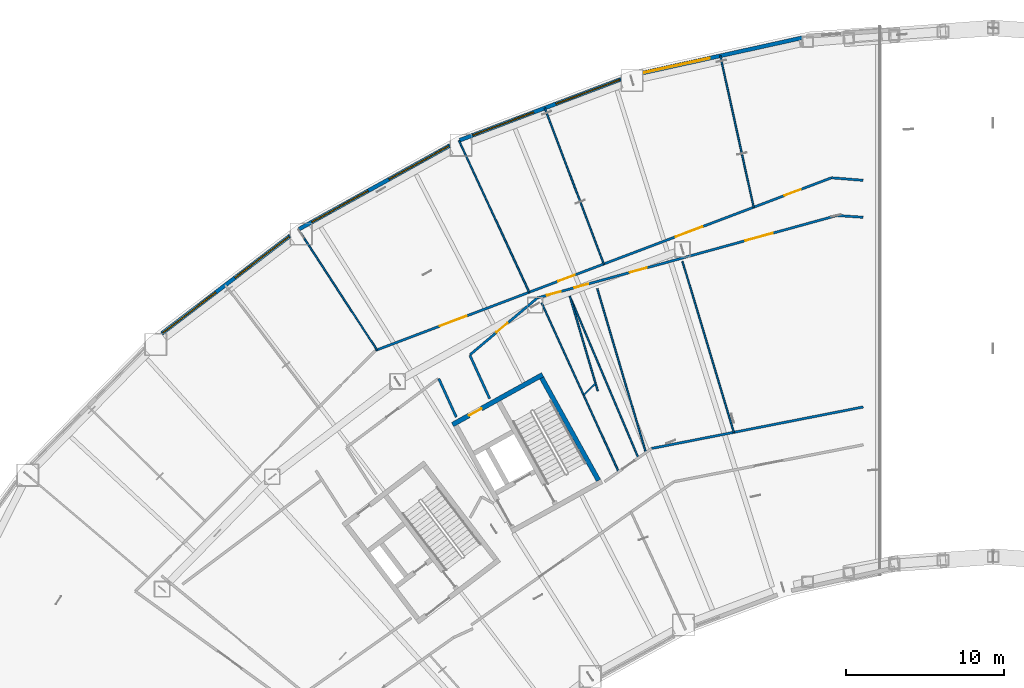
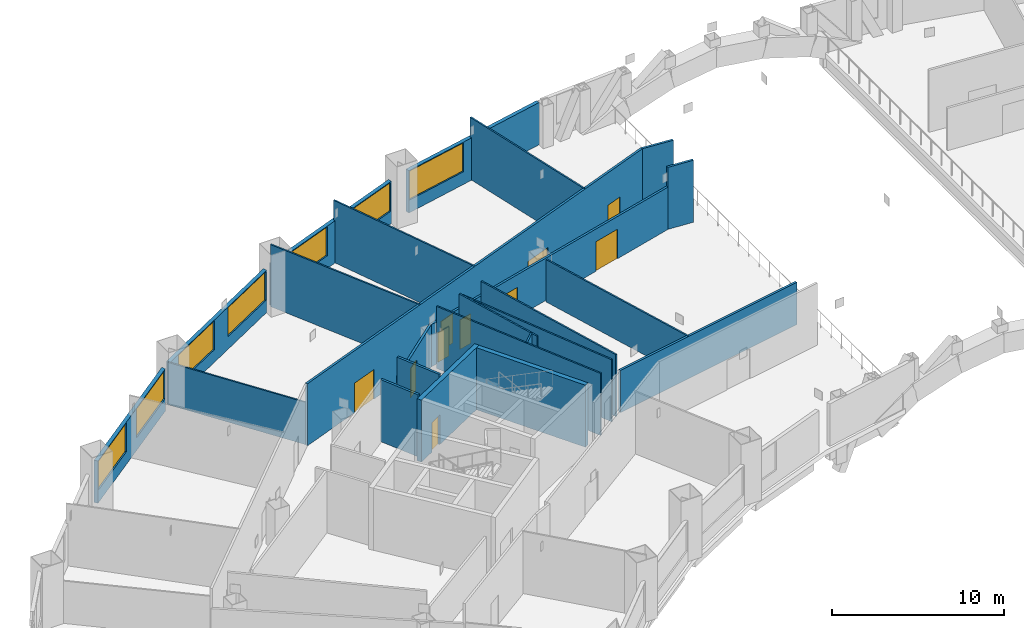
# One storey, part 8 of 24: 24 walls, 10 doors, 7 windows, 17 openings.
"""IFC4 building model written with IfcOpenShell, lengths in metres."""

from ifc_helpers import new_model, si_unit, direction, frame, frame_2d, origin, place, context, subcontext, project, spatial, rectangle, extrude, material, layer, layer_set, type_object, element, fill, save


model = new_model("IFC4")

# Units and contexts
model_context = context("Model", 3, precision=1e-05, world=origin(), true_north=direction((0.0, 1.0)))
body_context = subcontext(model_context, "Body", "Model", "MODEL_VIEW")
ifc_project = project(units=[si_unit("LENGTHUNIT", "METRE"), si_unit("AREAUNIT", "SQUARE_METRE"), si_unit("VOLUMEUNIT", "CUBIC_METRE"), si_unit("PLANEANGLEUNIT", "RADIAN"), si_unit("MASSUNIT", "GRAM", prefix="KILO")], contexts=[model_context])

# Site, building, storey
site_placement = place(None, origin())
site = spatial("IfcSite", under=ifc_project, at=site_placement, CompositionType="ELEMENT")
building_placement = place(site_placement, origin())
building = spatial("IfcBuilding", under=site, at=building_placement, Name="Tuul Gate Civic Tower", CompositionType="ELEMENT")
storey_placement = place(building_placement, frame((0.0, 0.0, 21.89990234375)))
storey = spatial("IfcBuildingStorey", under=building, at=storey_placement, Name="Level 04", CompositionType="ELEMENT", Elevation=21.89990234375)

# Wall, opening, door
ifc_material_1 = material(Name="Concrete C50/60", Category="concrete")
ifc_layer_1 = layer(ifc_material_1, 0.300048828125)
ifc_layer_set_1 = layer_set([ifc_layer_1], Name="Concrete C50/60")
wall_type_1 = type_object("IfcWallType", Name="Core wall C50/60", PredefinedType="SHEAR", material=ifc_layer_set_1)
wall_1_placement = place(storey_placement, frame((-28.4443359375, -1.98095703125, 0.0), z_axis=(0.0, 0.0, 1.0), x_axis=(-0.874629909008, -0.484791215132, 0.0)))
wall_1 = element("IfcWall", 1, at=wall_1_placement, inside=storey, type_object=wall_type_1, Name="Core wall", PredefinedType="SHEAR", context=body_context, shape_type="SweptSolid", body=[
    extrude(rectangle(XDim=6.5, YDim=0.300048828125, at=frame_2d((3.25, 0.0))), origin(), (0.0, 0.0, 1.0), 4.400146484375),
])
opening_1_placement = place(wall_1_placement, frame((4.425048828125, 0.0, 0.0)))
opening_1 = element("IfcOpeningElement", 2, at=opening_1_placement, cuts=wall_1, Name="Opening QD-D37", PredefinedType="OPENING", context=body_context, shape_type="SweptSolid", body=[
    extrude(rectangle(XDim=0.89990234375, YDim=2.10009765625, at=frame_2d((0.449951171875, 1.050048828125))), frame((0.0, 0.16015625, 0.0), z_axis=(0.0, -1.0, 0.0), x_axis=(1.0, 0.0, 0.0)), (0.0, 0.0, 1.0), 0.320068359375),
])
ifc_material_2 = material(Name="Timber door leaf", Category="wood")
door_type_1 = type_object("IfcDoorType", Name="Door D09", OperationType="NOTDEFINED", PredefinedType="DOOR", material=ifc_material_2)
door_1_placement = place(opening_1_placement, origin())
door_1 = element("IfcDoor", 3, at=door_1_placement, inside=storey, type_object=door_type_1, Name="Door QD-D37", OperationType="SINGLE_SWING_LEFT", OverallHeight=2.10009765625, OverallWidth=0.89990234375, PredefinedType="DOOR", context=body_context, shape_type="SweptSolid", body=[
    extrude(rectangle(XDim=0.89990234375, YDim=2.10009765625, at=frame_2d((0.449951171875, 1.050048828125))), frame((0.0, 0.02490234375, 0.0), z_axis=(0.0, -1.0, 0.0), x_axis=(1.0, 0.0, 0.0)), (0.0, 0.0, 1.0), 0.050048828125),
])
fill(opening_1, door_1)

# Walls
wall_2_placement = place(storey_placement, frame((-24.91552734375, -8.6572265625, 0.0), z_axis=(0.0, 0.0, 1.0), x_axis=(-0.484777133038, 0.874637714304, 0.0)))
element("IfcWall", 4, at=wall_2_placement, inside=storey, type_object=wall_type_1, Name="Core wall", PredefinedType="SHEAR", context=body_context, shape_type="SweptSolid", body=[
    extrude(rectangle(XDim=7.400146484375, YDim=0.300048828125, at=frame_2d((3.7001953125, 0.0))), origin(), (0.0, 0.0, 1.0), 4.400146484375),
])
ifc_material_3 = material(Name="Gypsum board partition")
ifc_layer_2 = layer(ifc_material_3, 0.14990234375)
ifc_layer_set_2 = layer_set([ifc_layer_2], Name="Gypsum board partition")
wall_type_2 = type_object("IfcWallType", Name="Corridor wall P150", PredefinedType="PARTITIONING", material=ifc_layer_set_2)
wall_3_placement = place(storey_placement, frame((-10.20703125, 10.451904296875, 0.0), z_axis=(0.0, 0.0, 1.0), x_axis=(0.996915156956, -0.078486749398, 0.0)))
element("IfcWall", 5, at=wall_3_placement, inside=storey, type_object=wall_type_2, Name="p013", PredefinedType="PARTITIONING", context=body_context, shape_type="SweptSolid", body=[
    extrude(rectangle(XDim=2.012451171875, YDim=0.14990234375, at=frame_2d((1.00634765625, 0.0))), origin(), (0.0, 0.0, 1.0), 4.400146484375),
])

# Wall, openings, doors
wall_4_placement = place(storey_placement, frame((-39.002197265625, -0.451904296875, 0.0), z_axis=(0.0, 0.0, 1.0), x_axis=(0.935191241044, 0.354143110443, 0.0)))
wall_4 = element("IfcWall", 6, at=wall_4_placement, inside=storey, type_object=wall_type_2, Name="p017", PredefinedType="PARTITIONING", context=body_context, shape_type="SweptSolid", body=[
    extrude(rectangle(XDim=30.78857421875, YDim=0.14990234375, at=frame_2d((15.394287109375, 0.0))), origin(), (0.0, 0.0, 1.0), 4.400146484375),
])
opening_2_placement = place(wall_4_placement, frame((27.614501953125, 0.0, 0.0)))
opening_2 = element("IfcOpeningElement", 7, at=opening_2_placement, cuts=wall_4, Name="Opening QD-D06", PredefinedType="OPENING", context=body_context, shape_type="SweptSolid", body=[
    extrude(rectangle(XDim=1.10009765625, YDim=2.10009765625, at=frame_2d((0.550048828125, 1.050048828125))), frame((0.0, 0.0849609375, 0.0), z_axis=(0.0, -1.0, 0.0), x_axis=(1.0, 0.0, 0.0)), (0.0, 0.0, 1.0), 0.169921875),
])
opening_3_placement = place(wall_4_placement, frame((20.279052734375, 0.0, 0.0)))
opening_3 = element("IfcOpeningElement", 8, at=opening_3_placement, cuts=wall_4, Name="Opening QD-D07", PredefinedType="OPENING", context=body_context, shape_type="SweptSolid", body=[
    extrude(rectangle(XDim=1.800048828125, YDim=2.10009765625, at=frame_2d((0.89990234375, 1.050048828125))), frame((0.0, 0.0849609375, 0.0), z_axis=(0.0, -1.0, 0.0), x_axis=(1.0, 0.0, 0.0)), (0.0, 0.0, 1.0), 0.169921875),
])
opening_4_placement = place(wall_4_placement, frame((12.351318359375, 0.0, 0.0)))
opening_4 = element("IfcOpeningElement", 9, at=opening_4_placement, cuts=wall_4, Name="Opening QD-D08", PredefinedType="OPENING", context=body_context, shape_type="SweptSolid", body=[
    extrude(rectangle(XDim=1.10009765625, YDim=2.10009765625, at=frame_2d((0.550048828125, 1.050048828125))), frame((0.0, 0.0849609375, 0.0), z_axis=(0.0, -1.0, 0.0), x_axis=(1.0, 0.0, 0.0)), (0.0, 0.0, 1.0), 0.169921875),
])
opening_5_placement = place(wall_4_placement, frame((4.343505859375, 0.0, 0.0)))
opening_5 = element("IfcOpeningElement", 10, at=opening_5_placement, cuts=wall_4, Name="Opening QD-D09", PredefinedType="OPENING", context=body_context, shape_type="SweptSolid", body=[
    extrude(rectangle(XDim=1.800048828125, YDim=2.10009765625, at=frame_2d((0.89990234375, 1.050048828125))), frame((0.0, 0.0849609375, 0.0), z_axis=(0.0, -1.0, 0.0), x_axis=(1.0, 0.0, 0.0)), (0.0, 0.0, 1.0), 0.169921875),
])
ifc_material_4 = material(Name="Timber door leaf", Category="wood")
door_type_2 = type_object("IfcDoorType", Name="Door D11", OperationType="NOTDEFINED", PredefinedType="DOOR", material=ifc_material_4)
door_2_placement = place(opening_2_placement, origin())
door_2 = element("IfcDoor", 11, at=door_2_placement, inside=storey, type_object=door_type_2, Name="Door QD-D06", OperationType="SINGLE_SWING_RIGHT", OverallHeight=2.10009765625, OverallWidth=1.10009765625, PredefinedType="DOOR", context=body_context, shape_type="SweptSolid", body=[
    extrude(rectangle(XDim=1.10009765625, YDim=2.10009765625, at=frame_2d((0.550048828125, 1.050048828125))), frame((0.0, 0.02490234375, 0.0), z_axis=(0.0, -1.0, 0.0), x_axis=(1.0, 0.0, 0.0)), (0.0, 0.0, 1.0), 0.050048828125),
])
fill(opening_2, door_2)
door_3_placement = place(opening_4_placement, origin())
door_3 = element("IfcDoor", 12, at=door_3_placement, inside=storey, type_object=door_type_2, Name="Door QD-D08", OperationType="SINGLE_SWING_RIGHT", OverallHeight=2.10009765625, OverallWidth=1.10009765625, PredefinedType="DOOR", context=body_context, shape_type="SweptSolid", body=[
    extrude(rectangle(XDim=1.10009765625, YDim=2.10009765625, at=frame_2d((0.550048828125, 1.050048828125))), frame((0.0, 0.02490234375, 0.0), z_axis=(0.0, -1.0, 0.0), x_axis=(1.0, 0.0, 0.0)), (0.0, 0.0, 1.0), 0.050048828125),
])
fill(opening_4, door_3)
ifc_material_5 = material(Name="Timber door leaf, double", Category="wood")
door_type_3 = type_object("IfcDoorType", Name="Door D18", OperationType="DOUBLE_DOOR_SINGLE_SWING", PredefinedType="DOOR", material=ifc_material_5)
door_4_placement = place(opening_3_placement, origin())
door_4 = element("IfcDoor", 13, at=door_4_placement, inside=storey, type_object=door_type_3, Name="Door QD-D07", OperationType="DOUBLE_DOOR_SINGLE_SWING", OverallHeight=2.10009765625, OverallWidth=1.800048828125, PredefinedType="DOOR", context=body_context, shape_type="SweptSolid", body=[
    extrude(rectangle(XDim=1.800048828125, YDim=2.10009765625, at=frame_2d((0.89990234375, 1.050048828125))), frame((0.0, 0.02490234375, 0.0), z_axis=(0.0, -1.0, 0.0), x_axis=(1.0, 0.0, 0.0)), (0.0, 0.0, 1.0), 0.050048828125),
])
fill(opening_3, door_4)
door_5_placement = place(opening_5_placement, origin())
door_5 = element("IfcDoor", 14, at=door_5_placement, inside=storey, type_object=door_type_3, Name="Door QD-D09", OperationType="DOUBLE_DOOR_SINGLE_SWING", OverallHeight=2.10009765625, OverallWidth=1.800048828125, PredefinedType="DOOR", context=body_context, shape_type="SweptSolid", body=[
    extrude(rectangle(XDim=1.800048828125, YDim=2.10009765625, at=frame_2d((0.89990234375, 1.050048828125))), frame((0.0, 0.02490234375, 0.0), z_axis=(0.0, -1.0, 0.0), x_axis=(1.0, 0.0, 0.0)), (0.0, 0.0, 1.0), 0.050048828125),
])
fill(opening_5, door_5)

# Walls
wall_5_placement = place(storey_placement, frame((-9.862060546875, 8.07080078125, 0.0), z_axis=(0.0, 0.0, 1.0), x_axis=(0.997744770314, -0.067122077674, 0.0)))
element("IfcWall", 15, at=wall_5_placement, inside=storey, type_object=wall_type_2, Name="p057", PredefinedType="PARTITIONING", context=body_context, shape_type="SweptSolid", body=[
    extrude(rectangle(XDim=1.665771484375, YDim=0.14990234375, at=frame_2d((0.8330078125, 0.0))), origin(), (0.0, 0.0, 1.0), 4.400146484375),
])
wall_6_placement = place(storey_placement, frame((-33.0390625, -0.752685546875, 0.0), z_axis=(0.0, 0.0, 1.0), x_axis=(0.414676548677, -0.909968878576, 0.0)))
element("IfcWall", 16, at=wall_6_placement, inside=storey, type_object=wall_type_2, Name="p073", PredefinedType="PARTITIONING", context=body_context, shape_type="SweptSolid", body=[
    extrude(rectangle(XDim=3.01025390625, YDim=0.14990234375, at=frame_2d((1.505126953125, 0.0))), origin(), (0.0, 0.0, 1.0), 4.400146484375),
])
wall_7_placement = place(storey_placement, frame((-35.001220703125, -2.234619140625, 0.0), z_axis=(0.0, 0.0, 1.0), x_axis=(0.414631219505, -0.909989533902, 0.0)))
element("IfcWall", 17, at=wall_7_placement, inside=storey, type_object=wall_type_2, Name="p078", PredefinedType="PARTITIONING", context=body_context, shape_type="SweptSolid", body=[
    extrude(rectangle(XDim=2.664306640625, YDim=0.14990234375, at=frame_2d((1.33203125, 0.0))), origin(), (0.0, 0.0, 1.0), 4.400146484375),
])

# Wall, openings, doors
ifc_material_6 = material(Name="Gypsum board partition")
ifc_layer_3 = layer(ifc_material_6, 0.14990234375)
ifc_layer_set_3 = layer_set([ifc_layer_3], Name="Gypsum board partition")
wall_type_3 = type_object("IfcWallType", Name="Corridor wall P150 3000 HIGH", PredefinedType="PARTITIONING", material=ifc_layer_set_3)
wall_8_placement = place(storey_placement, frame((-28.7705078125, 2.86669921875, 0.0), z_axis=(0.0, 0.0, 1.0), x_axis=(0.964155963782, 0.265336159435, 0.0)))
wall_8 = element("IfcWall", 18, at=wall_8_placement, inside=storey, type_object=wall_type_3, Name="p064", PredefinedType="PARTITIONING", context=body_context, shape_type="SweptSolid", body=[
    extrude(rectangle(XDim=19.611328125, YDim=0.14990234375, at=frame_2d((9.8056640625, 0.0))), origin(), (0.0, 0.0, 1.0), 3.0),
])
opening_6_placement = place(wall_8_placement, frame((13.62060546875, 0.0, 0.0)))
opening_6 = element("IfcOpeningElement", 19, at=opening_6_placement, cuts=wall_8, Name="Opening QD-D27", PredefinedType="OPENING", context=body_context, shape_type="SweptSolid", body=[
    extrude(rectangle(XDim=1.800048828125, YDim=2.10009765625, at=frame_2d((0.89990234375, 1.050048828125))), frame((0.0, 0.0849609375, 0.0), z_axis=(0.0, -1.0, 0.0), x_axis=(1.0, 0.0, 0.0)), (0.0, 0.0, 1.0), 0.169921875),
])
opening_7_placement = place(wall_8_placement, frame((6.0546875, 0.0, 0.0)))
opening_7 = element("IfcOpeningElement", 20, at=opening_7_placement, cuts=wall_8, Name="Opening QD-D28", PredefinedType="OPENING", context=body_context, shape_type="SweptSolid", body=[
    extrude(rectangle(XDim=1.10009765625, YDim=2.10009765625, at=frame_2d((0.550048828125, 1.050048828125))), frame((0.0, 0.0849609375, 0.0), z_axis=(0.0, -1.0, 0.0), x_axis=(1.0, 0.0, 0.0)), (0.0, 0.0, 1.0), 0.169921875),
])
opening_8_placement = place(wall_8_placement, frame((2.42578125, 0.0, 0.0)))
opening_8 = element("IfcOpeningElement", 21, at=opening_8_placement, cuts=wall_8, Name="Opening QD-D29", PredefinedType="OPENING", context=body_context, shape_type="SweptSolid", body=[
    extrude(rectangle(XDim=0.89990234375, YDim=2.10009765625, at=frame_2d((0.449951171875, 1.050048828125))), frame((0.0, 0.0849609375, 0.0), z_axis=(0.0, -1.0, 0.0), x_axis=(1.0, 0.0, 0.0)), (0.0, 0.0, 1.0), 0.169921875),
])
opening_9_placement = place(wall_8_placement, frame((0.6201171875, 0.0, 0.0)))
opening_9 = element("IfcOpeningElement", 22, at=opening_9_placement, cuts=wall_8, Name="Opening QD-D30", PredefinedType="OPENING", context=body_context, shape_type="SweptSolid", body=[
    extrude(rectangle(XDim=0.89990234375, YDim=2.10009765625, at=frame_2d((0.449951171875, 1.050048828125))), frame((0.0, 0.0849609375, 0.0), z_axis=(0.0, -1.0, 0.0), x_axis=(1.0, 0.0, 0.0)), (0.0, 0.0, 1.0), 0.169921875),
])
door_6_placement = place(opening_8_placement, frame((0.89990234375, 0.0, 0.0), z_axis=(0.0, 0.0, 1.0), x_axis=(-1.0, 0.0, 0.0)))
door_6 = element("IfcDoor", 23, at=door_6_placement, inside=storey, type_object=door_type_1, Name="Door QD-D29", OperationType="SINGLE_SWING_LEFT", OverallHeight=2.10009765625, OverallWidth=0.89990234375, PredefinedType="DOOR", context=body_context, shape_type="SweptSolid", body=[
    extrude(rectangle(XDim=0.89990234375, YDim=2.10009765625, at=frame_2d((0.449951171875, 1.050048828125))), frame((0.0, 0.02490234375, 0.0), z_axis=(0.0, -1.0, 0.0), x_axis=(1.0, 0.0, 0.0)), (0.0, 0.0, 1.0), 0.050048828125),
])
fill(opening_8, door_6)
door_7_placement = place(opening_9_placement, frame((0.89990234375, 0.0, 0.0), z_axis=(0.0, 0.0, 1.0), x_axis=(-1.0, 0.0, 0.0)))
door_7 = element("IfcDoor", 24, at=door_7_placement, inside=storey, type_object=door_type_1, Name="Door QD-D30", OperationType="SINGLE_SWING_RIGHT", OverallHeight=2.10009765625, OverallWidth=0.89990234375, PredefinedType="DOOR", context=body_context, shape_type="SweptSolid", body=[
    extrude(rectangle(XDim=0.89990234375, YDim=2.10009765625, at=frame_2d((0.449951171875, 1.050048828125))), frame((0.0, 0.02490234375, 0.0), z_axis=(0.0, -1.0, 0.0), x_axis=(1.0, 0.0, 0.0)), (0.0, 0.0, 1.0), 0.050048828125),
])
fill(opening_9, door_7)
door_8_placement = place(opening_7_placement, frame((1.10009765625, 0.0, 0.0), z_axis=(0.0, 0.0, 1.0), x_axis=(-1.0, 0.0, 0.0)))
door_8 = element("IfcDoor", 25, at=door_8_placement, inside=storey, type_object=door_type_2, Name="Door QD-D28", OperationType="SINGLE_SWING_LEFT", OverallHeight=2.10009765625, OverallWidth=1.10009765625, PredefinedType="DOOR", context=body_context, shape_type="SweptSolid", body=[
    extrude(rectangle(XDim=1.10009765625, YDim=2.10009765625, at=frame_2d((0.550048828125, 1.050048828125))), frame((0.0, 0.02490234375, 0.0), z_axis=(0.0, -1.0, 0.0), x_axis=(1.0, 0.0, 0.0)), (0.0, 0.0, 1.0), 0.050048828125),
])
fill(opening_7, door_8)
door_9_placement = place(opening_6_placement, frame((1.800048828125, 0.0, 0.0), z_axis=(0.0, 0.0, 1.0), x_axis=(-1.0, 0.0, 0.0)))
door_9 = element("IfcDoor", 26, at=door_9_placement, inside=storey, type_object=door_type_3, Name="Door QD-D27", OperationType="DOUBLE_DOOR_SINGLE_SWING", OverallHeight=2.10009765625, OverallWidth=1.800048828125, PredefinedType="DOOR", context=body_context, shape_type="SweptSolid", body=[
    extrude(rectangle(XDim=1.800048828125, YDim=2.10009765625, at=frame_2d((0.900146484375, 1.050048828125))), frame((0.0, 0.02490234375, 0.0), z_axis=(0.0, -1.0, 0.0), x_axis=(1.0, 0.0, 0.0)), (0.0, 0.0, 1.0), 0.050048828125),
])
fill(opening_6, door_9)

# Wall
wall_9_placement = place(storey_placement, frame((-21.556884765625, -6.638916015625, 0.0), z_axis=(0.0, 0.0, 1.0), x_axis=(0.981315277019, 0.192406671113, 0.0)))
element("IfcWall", 27, at=wall_9_placement, inside=storey, type_object=wall_type_3, Name="p065", PredefinedType="PARTITIONING", context=body_context, shape_type="SweptSolid", body=[
    extrude(rectangle(XDim=13.611328125, YDim=0.14990234375, at=frame_2d((6.8056640625, 0.0))), origin(), (0.0, 0.0, 1.0), 3.0),
])

# Wall, opening, door
wall_10_placement = place(storey_placement, frame((-33.03271484375, -0.727294921875, 0.0), z_axis=(0.0, 0.0, 1.0), x_axis=(0.764292158997, 0.644870138629, 0.0)))
wall_10 = element("IfcWall", 28, at=wall_10_placement, inside=storey, type_object=wall_type_3, Name="p076", PredefinedType="PARTITIONING", context=body_context, shape_type="SweptSolid", body=[
    extrude(rectangle(XDim=5.566650390625, YDim=0.14990234375, at=frame_2d((2.783203125, 0.0))), origin(), (0.0, 0.0, 1.0), 3.0),
])
opening_10_placement = place(wall_10_placement, frame((2.208740234375, 0.0, 0.0)))
opening_10 = element("IfcOpeningElement", 29, at=opening_10_placement, cuts=wall_10, Name="Opening QD-D31", PredefinedType="OPENING", context=body_context, shape_type="SweptSolid", body=[
    extrude(rectangle(XDim=0.89990234375, YDim=2.10009765625, at=frame_2d((0.449951171875, 1.050048828125))), frame((0.0, 0.0849609375, 0.0), z_axis=(0.0, -1.0, 0.0), x_axis=(1.0, 0.0, 0.0)), (0.0, 0.0, 1.0), 0.169921875),
])
door_10_placement = place(opening_10_placement, frame((0.89990234375, 0.0, 0.0), z_axis=(0.0, 0.0, 1.0), x_axis=(-1.0, 0.0, 0.0)))
door_10 = element("IfcDoor", 30, at=door_10_placement, inside=storey, type_object=door_type_1, Name="Door QD-D31", OperationType="SINGLE_SWING_LEFT", OverallHeight=2.10009765625, OverallWidth=0.89990234375, PredefinedType="DOOR", context=body_context, shape_type="SweptSolid", body=[
    extrude(rectangle(XDim=0.89990234375, YDim=2.10009765625, at=frame_2d((0.449951171875, 1.050048828125))), frame((0.0, 0.02490234375, 0.0), z_axis=(0.0, -1.0, 0.0), x_axis=(1.0, 0.0, 0.0)), (0.0, 0.0, 1.0), 0.050048828125),
])
fill(opening_10, door_10)

# Wall, opening, window
ifc_material_7 = material(Name="Precast concrete C40/50", Category="concrete")
ifc_layer_4 = layer(ifc_material_7, 0.25)
ifc_layer_set_4 = layer_set([ifc_layer_4], Name="Precast concrete C40/50")
wall_type_4 = type_object("IfcWallType", Name="External wall 3000 HIGH", PredefinedType="STANDARD", material=ifc_layer_set_4)
wall_11_placement = place(storey_placement, frame((-12.06494140625, 19.291259765625, 0.0), z_axis=(0.0, 0.0, 1.0), x_axis=(-0.976572661931, -0.215187908511, 0.0)))
wall_11 = element("IfcWall", 31, at=wall_11_placement, inside=storey, type_object=wall_type_4, Name="External wall", PredefinedType="STANDARD", context=body_context, shape_type="SweptSolid", body=[
    extrude(rectangle(XDim=10.267578125, YDim=0.25, at=frame_2d((5.1337890625, 0.0))), origin(), (0.0, 0.0, 1.0), 3.0),
])
opening_11_placement = place(wall_11_placement, frame((5.97412109375, 0.0, 0.89990234375)))
opening_11 = element("IfcOpeningElement", 32, at=opening_11_placement, cuts=wall_11, Name="Opening W94", PredefinedType="OPENING", context=body_context, shape_type="SweptSolid", body=[
    extrude(rectangle(XDim=4.25, YDim=2.050048828125, at=frame_2d((2.125, 1.02490234375))), frame((0.0, 0.135009765625, 0.0), z_axis=(0.0, -1.0, 0.0), x_axis=(1.0, 0.0, 0.0)), (0.0, 0.0, 1.0), 0.27001953125),
])
ifc_material_8 = material(Name="Glass", Category="glass")
window_type_1 = type_object("IfcWindowType", Name="Window W94 4250 x 2050", PartitioningType="SINGLE_PANEL", PredefinedType="WINDOW", material=ifc_material_8)
window_1_placement = place(opening_11_placement, origin())
window_1 = element("IfcWindow", 33, at=window_1_placement, inside=storey, type_object=window_type_1, Name="Window", OverallHeight=2.050048828125, OverallWidth=4.25, PartitioningType="SINGLE_PANEL", PredefinedType="WINDOW", context=body_context, shape_type="SweptSolid", body=[
    extrude(rectangle(XDim=4.25, YDim=2.050048828125, at=frame_2d((2.125, 1.02490234375))), frame((0.0, 0.030029296875, 0.0), z_axis=(0.0, -1.0, 0.0), x_axis=(1.0, 0.0, 0.0)), (0.0, 0.0, 1.0), 0.06005859375),
])
fill(opening_11, window_1)

# Wall, openings, windows
wall_12_placement = place(storey_placement, frame((-23.491943359375, 16.677490234375, 0.0), z_axis=(0.0, 0.0, 1.0), x_axis=(-0.935359606009, -0.353698186944, 0.0)))
wall_12 = element("IfcWall", 34, at=wall_12_placement, inside=storey, type_object=wall_type_4, Name="External wall", PredefinedType="STANDARD", context=body_context, shape_type="SweptSolid", body=[
    extrude(rectangle(XDim=10.89501953125, YDim=0.25, at=frame_2d((5.447509765625, 0.0))), origin(), (0.0, 0.0, 1.0), 3.0),
])
opening_12_placement = place(wall_12_placement, frame((0.094970703125, 0.0, 0.89990234375)))
opening_12 = element("IfcOpeningElement", 35, at=opening_12_placement, cuts=wall_12, Name="Opening W90", PredefinedType="OPENING", context=body_context, shape_type="SweptSolid", body=[
    extrude(rectangle(XDim=4.300048828125, YDim=2.050048828125, at=frame_2d((2.14990234375, 1.02490234375))), frame((0.0, 0.135009765625, 0.0), z_axis=(0.0, -1.0, 0.0), x_axis=(1.0, 0.0, 0.0)), (0.0, 0.0, 1.0), 0.27001953125),
])
opening_13_placement = place(wall_12_placement, frame((5.905029296875, 0.0, 0.89990234375)))
opening_13 = element("IfcOpeningElement", 36, at=opening_13_placement, cuts=wall_12, Name="Opening W93", PredefinedType="OPENING", context=body_context, shape_type="SweptSolid", body=[
    extrude(rectangle(XDim=4.10009765625, YDim=2.050048828125, at=frame_2d((2.050048828125, 1.02490234375))), frame((0.0, 0.135009765625, 0.0), z_axis=(0.0, -1.0, 0.0), x_axis=(1.0, 0.0, 0.0)), (0.0, 0.0, 1.0), 0.27001953125),
])
ifc_material_9 = material(Name="Glass", Category="glass")
window_type_2 = type_object("IfcWindowType", Name="Window W90 4300 x 2050", PartitioningType="SINGLE_PANEL", PredefinedType="WINDOW", material=ifc_material_9)
window_2_placement = place(opening_12_placement, origin())
window_2 = element("IfcWindow", 37, at=window_2_placement, inside=storey, type_object=window_type_2, Name="Window", OverallHeight=2.050048828125, OverallWidth=4.300048828125, PartitioningType="SINGLE_PANEL", PredefinedType="WINDOW", context=body_context, shape_type="SweptSolid", body=[
    extrude(rectangle(XDim=4.300048828125, YDim=2.050048828125, at=frame_2d((2.14990234375, 1.02490234375))), frame((0.0, 0.030029296875, 0.0), z_axis=(0.0, -1.0, 0.0), x_axis=(1.0, 0.0, 0.0)), (0.0, 0.0, 1.0), 0.06005859375),
])
fill(opening_12, window_2)
ifc_material_10 = material(Name="Glass", Category="glass")
window_type_3 = type_object("IfcWindowType", Name="Window W93 4100 x 2050", PartitioningType="SINGLE_PANEL", PredefinedType="WINDOW", material=ifc_material_10)
window_3_placement = place(opening_13_placement, origin())
window_3 = element("IfcWindow", 38, at=window_3_placement, inside=storey, type_object=window_type_3, Name="Window", OverallHeight=2.050048828125, OverallWidth=4.10009765625, PartitioningType="SINGLE_PANEL", PredefinedType="WINDOW", context=body_context, shape_type="SweptSolid", body=[
    extrude(rectangle(XDim=4.10009765625, YDim=2.050048828125, at=frame_2d((2.050048828125, 1.02490234375))), frame((0.0, 0.030029296875, 0.0), z_axis=(0.0, -1.0, 0.0), x_axis=(1.0, 0.0, 0.0)), (0.0, 0.0, 1.0), 0.06005859375),
])
fill(opening_13, window_3)

wall_13_placement = place(storey_placement, frame((-34.2919921875, 12.494384765625, 0.0), z_axis=(0.0, 0.0, 1.0), x_axis=(-0.874636502082, -0.48477932013, 0.0)))
wall_13 = element("IfcWall", 39, at=wall_13_placement, inside=storey, type_object=wall_type_4, Name="External wall", PredefinedType="STANDARD", context=body_context, shape_type="SweptSolid", body=[
    extrude(rectangle(XDim=10.900146484375, YDim=0.25, at=frame_2d((5.4501953125, 0.0))), origin(), (0.0, 0.0, 1.0), 3.0),
])
opening_14_placement = place(wall_13_placement, frame((0.10107421875, 0.0, 0.89990234375)))
opening_14 = element("IfcOpeningElement", 40, at=opening_14_placement, cuts=wall_13, Name="Opening W90", PredefinedType="OPENING", context=body_context, shape_type="SweptSolid", body=[
    extrude(rectangle(XDim=4.300048828125, YDim=2.050048828125, at=frame_2d((2.14990234375, 1.02490234375))), frame((0.0, 0.135009765625, 0.0), z_axis=(0.0, -1.0, 0.0), x_axis=(1.0, 0.0, 0.0)), (0.0, 0.0, 1.0), 0.27001953125),
])
opening_15_placement = place(wall_13_placement, frame((5.9208984375, 0.0, 0.89990234375)))
opening_15 = element("IfcOpeningElement", 41, at=opening_15_placement, cuts=wall_13, Name="Opening W92", PredefinedType="OPENING", context=body_context, shape_type="SweptSolid", body=[
    extrude(rectangle(XDim=4.050048828125, YDim=2.050048828125, at=frame_2d((2.02490234375, 1.02490234375))), frame((0.0, 0.135009765625, 0.0), z_axis=(0.0, -1.0, 0.0), x_axis=(1.0, 0.0, 0.0)), (0.0, 0.0, 1.0), 0.27001953125),
])
window_4_placement = place(opening_14_placement, origin())
window_4 = element("IfcWindow", 42, at=window_4_placement, inside=storey, type_object=window_type_2, Name="Window", OverallHeight=2.050048828125, OverallWidth=4.300048828125, PartitioningType="SINGLE_PANEL", PredefinedType="WINDOW", context=body_context, shape_type="SweptSolid", body=[
    extrude(rectangle(XDim=4.300048828125, YDim=2.050048828125, at=frame_2d((2.14990234375, 1.02490234375))), frame((0.0, 0.030029296875, 0.0), z_axis=(0.0, -1.0, 0.0), x_axis=(1.0, 0.0, 0.0)), (0.0, 0.0, 1.0), 0.06005859375),
])
fill(opening_14, window_4)
ifc_material_11 = material(Name="Glass", Category="glass")
window_type_4 = type_object("IfcWindowType", Name="Window W92 4050 x 2050", PartitioningType="SINGLE_PANEL", PredefinedType="WINDOW", material=ifc_material_11)
window_5_placement = place(opening_15_placement, origin())
window_5 = element("IfcWindow", 43, at=window_5_placement, inside=storey, type_object=window_type_4, Name="Window", OverallHeight=2.050048828125, OverallWidth=4.050048828125, PartitioningType="SINGLE_PANEL", PredefinedType="WINDOW", context=body_context, shape_type="SweptSolid", body=[
    extrude(rectangle(XDim=4.050048828125, YDim=2.050048828125, at=frame_2d((2.02490234375, 1.02490234375))), frame((0.0, 0.030029296875, 0.0), z_axis=(0.0, -1.0, 0.0), x_axis=(1.0, 0.0, 0.0)), (0.0, 0.0, 1.0), 0.06005859375),
])
fill(opening_15, window_5)

wall_14_placement = place(storey_placement, frame((-44.39111328125, 6.7890625, 0.0), z_axis=(0.0, 0.0, 1.0), x_axis=(-0.795598395873, -0.605824390796, 0.0)))
wall_14 = element("IfcWall", 44, at=wall_14_placement, inside=storey, type_object=wall_type_4, Name="External wall", PredefinedType="STANDARD", context=body_context, shape_type="SweptSolid", body=[
    extrude(rectangle(XDim=10.186279296875, YDim=0.25, at=frame_2d((5.09326171875, 0.0))), origin(), (0.0, 0.0, 1.0), 3.0),
])
opening_16_placement = place(wall_14_placement, frame((0.089111328125, 0.0, 0.89990234375)))
opening_16 = element("IfcOpeningElement", 45, at=opening_16_placement, cuts=wall_14, Name="Opening W90", PredefinedType="OPENING", context=body_context, shape_type="SweptSolid", body=[
    extrude(rectangle(XDim=4.300048828125, YDim=2.050048828125, at=frame_2d((2.14990234375, 1.02490234375))), frame((0.0, 0.135009765625, 0.0), z_axis=(0.0, -1.0, 0.0), x_axis=(1.0, 0.0, 0.0)), (0.0, 0.0, 1.0), 0.27001953125),
])
opening_17_placement = place(wall_14_placement, frame((5.90087890625, 0.0, 0.89990234375)))
opening_17 = element("IfcOpeningElement", 46, at=opening_17_placement, cuts=wall_14, Name="Opening W91", PredefinedType="OPENING", context=body_context, shape_type="SweptSolid", body=[
    extrude(rectangle(XDim=4.199951171875, YDim=2.050048828125, at=frame_2d((2.10009765625, 1.02490234375))), frame((0.0, 0.135009765625, 0.0), z_axis=(0.0, -1.0, 0.0), x_axis=(1.0, 0.0, 0.0)), (0.0, 0.0, 1.0), 0.27001953125),
])
window_6_placement = place(opening_16_placement, origin())
window_6 = element("IfcWindow", 47, at=window_6_placement, inside=storey, type_object=window_type_2, Name="Window", OverallHeight=2.050048828125, OverallWidth=4.300048828125, PartitioningType="SINGLE_PANEL", PredefinedType="WINDOW", context=body_context, shape_type="SweptSolid", body=[
    extrude(rectangle(XDim=4.300048828125, YDim=2.050048828125, at=frame_2d((2.14990234375, 1.02490234375))), frame((0.0, 0.030029296875, 0.0), z_axis=(0.0, -1.0, 0.0), x_axis=(1.0, 0.0, 0.0)), (0.0, 0.0, 1.0), 0.06005859375),
])
fill(opening_16, window_6)
ifc_material_12 = material(Name="Glass", Category="glass")
window_type_5 = type_object("IfcWindowType", Name="Window W91 4200 x 2050", PartitioningType="SINGLE_PANEL", PredefinedType="WINDOW", material=ifc_material_12)
window_7_placement = place(opening_17_placement, origin())
window_7 = element("IfcWindow", 48, at=window_7_placement, inside=storey, type_object=window_type_5, Name="Window", OverallHeight=2.050048828125, OverallWidth=4.199951171875, PartitioningType="SINGLE_PANEL", PredefinedType="WINDOW", context=body_context, shape_type="SweptSolid", body=[
    extrude(rectangle(XDim=4.199951171875, YDim=2.050048828125, at=frame_2d((2.10009765625, 1.02490234375))), frame((0.0, 0.030029296875, 0.0), z_axis=(0.0, -1.0, 0.0), x_axis=(1.0, 0.0, 0.0)), (0.0, 0.0, 1.0), 0.06005859375),
])
fill(opening_17, window_7)

# Walls
ifc_material_13 = material(Name="Gypsum board partition")
ifc_layer_5 = layer(ifc_material_13, 0.10009765625)
ifc_layer_set_5 = layer_set([ifc_layer_5], Name="Gypsum board partition")
wall_type_5 = type_object("IfcWallType", Name="Partition P100", PredefinedType="PARTITIONING", material=ifc_layer_set_5)
wall_15_placement = place(storey_placement, frame((-17.225341796875, 18.1591796875, 0.0), z_axis=(0.0, 0.0, 1.0), x_axis=(0.215235946316, -0.976562075556, 0.0)))
element("IfcWall", 49, at=wall_15_placement, inside=storey, type_object=wall_type_5, Name="p016", PredefinedType="PARTITIONING", context=body_context, shape_type="SweptSolid", body=[
    extrude(rectangle(XDim=9.795654296875, YDim=0.10009765625, at=frame_2d((4.89794921875, 0.0))), origin(), (0.0, 0.0, 1.0), 4.400146484375),
])
wall_16_placement = place(storey_placement, frame((-28.30908203125, 14.861328125, 0.0), z_axis=(0.0, 0.0, 1.0), x_axis=(0.353717846395, -0.93535217172, 0.0)))
element("IfcWall", 50, at=wall_16_placement, inside=storey, type_object=wall_type_5, Name="p018", PredefinedType="PARTITIONING", context=body_context, shape_type="SweptSolid", body=[
    extrude(rectangle(XDim=10.533935546875, YDim=0.10009765625, at=frame_2d((5.26708984375, 0.0))), origin(), (0.0, 0.0, 1.0), 4.400146484375),
])
wall_17_placement = place(storey_placement, frame((-33.7314453125, 12.810791015625, 0.0), z_axis=(0.0, 0.0, 1.0), x_axis=(0.420344537113, -0.907364573983, 0.0)))
element("IfcWall", 51, at=wall_17_placement, inside=storey, type_object=wall_type_5, Name="p019", PredefinedType="PARTITIONING", context=body_context, shape_type="SweptSolid", body=[
    extrude(rectangle(XDim=10.563720703125, YDim=0.10009765625, at=frame_2d((5.28173828125, 0.0))), origin(), (0.0, 0.0, 1.0), 4.400146484375),
])
wall_18_placement = place(storey_placement, frame((-24.9951171875, 3.453857421875, 0.0), z_axis=(0.0, 0.0, 1.0), x_axis=(0.284179158462, -0.9587711958, 0.0)))
element("IfcWall", 52, at=wall_18_placement, inside=storey, type_object=wall_type_5, Name="p066", PredefinedType="PARTITIONING", context=body_context, shape_type="SweptSolid", body=[
    extrude(rectangle(XDim=10.799072265625, YDim=0.10009765625, at=frame_2d((5.3994140625, 0.0))), origin(), (0.0, 0.0, 1.0), 4.400146484375),
])
wall_19_placement = place(storey_placement, frame((-26.650146484375, 2.78369140625, 0.0), z_axis=(0.0, 0.0, 1.0), x_axis=(0.390743432875, -0.920499630454, 0.0)))
element("IfcWall", 53, at=wall_19_placement, inside=storey, type_object=wall_type_5, Name="p069", PredefinedType="PARTITIONING", context=body_context, shape_type="SweptSolid", body=[
    extrude(rectangle(XDim=10.881591796875, YDim=0.10009765625, at=frame_2d((5.44091796875, 0.0))), origin(), (0.0, 0.0, 1.0), 4.400146484375),
])
wall_20_placement = place(storey_placement, frame((-25.85400390625, -3.268798828125, 0.0), z_axis=(0.0, 0.0, 1.0), x_axis=(0.713204666448, 0.700955850077, 0.0)))
element("IfcWall", 54, at=wall_20_placement, inside=storey, type_object=wall_type_5, Name="p070", PredefinedType="PARTITIONING", context=body_context, shape_type="SweptSolid", body=[
    extrude(rectangle(XDim=1.056396484375, YDim=0.10009765625, at=frame_2d((0.5283203125, 0.0))), origin(), (0.0, 0.0, 1.0), 4.400146484375),
])
wall_21_placement = place(storey_placement, frame((-28.503662109375, 2.54541015625, 0.0), z_axis=(0.0, 0.0, 1.0), x_axis=(0.414699436219, -0.909958448282, 0.0)))
element("IfcWall", 55, at=wall_21_placement, inside=storey, type_object=wall_type_5, Name="p071", PredefinedType="PARTITIONING", context=body_context, shape_type="SweptSolid", body=[
    extrude(rectangle(XDim=11.713134765625, YDim=0.10009765625, at=frame_2d((5.8564453125, 0.0))), origin(), (0.0, 0.0, 1.0), 4.400146484375),
])
wall_22_placement = place(storey_placement, frame((-26.73291015625, 2.978515625, 0.0), z_axis=(0.0, 0.0, 1.0), x_axis=(0.284180249973, -0.958770872276, 0.0)))
element("IfcWall", 56, at=wall_22_placement, inside=storey, type_object=wall_type_5, Name="p072", PredefinedType="PARTITIONING", context=body_context, shape_type="SweptSolid", body=[
    extrude(rectangle(XDim=6.23974609375, YDim=0.10009765625, at=frame_2d((3.119873046875, 0.0))), origin(), (0.0, 0.0, 1.0), 4.400146484375),
])
ifc_material_14 = material(Name="Gypsum board partition")
ifc_layer_6 = layer(ifc_material_14, 0.10009765625)
ifc_layer_set_6 = layer_set([ifc_layer_6], Name="Gypsum board partition")
wall_type_6 = type_object("IfcWallType", Name="Partition P100 3000 HIGH", PredefinedType="PARTITIONING", material=ifc_layer_set_6)
wall_23_placement = place(storey_placement, frame((-43.872314453125, 7.190185546875, 0.0), z_axis=(0.0, 0.0, 1.0), x_axis=(0.546735836024, -0.837305156802, 0.0)))
element("IfcWall", 57, at=wall_23_placement, inside=storey, type_object=wall_type_6, Name="p021", PredefinedType="PARTITIONING", context=body_context, shape_type="SweptSolid", body=[
    extrude(rectangle(XDim=9.08349609375, YDim=0.10009765625, at=frame_2d((4.541748046875, 0.0))), origin(), (0.0, 0.0, 1.0), 3.0),
])
wall_24_placement = place(storey_placement, frame((-19.61669921875, 5.179443359375, 0.0), z_axis=(0.0, 0.0, 1.0), x_axis=(0.28818777814, -0.957573915962, 0.0)))
element("IfcWall", 58, at=wall_24_placement, inside=storey, type_object=wall_type_6, Name="p063", PredefinedType="PARTITIONING", context=body_context, shape_type="SweptSolid", body=[
    extrude(rectangle(XDim=11.279052734375, YDim=0.10009765625, at=frame_2d((5.6396484375, 0.0))), origin(), (0.0, 0.0, 1.0), 3.0),
])

save(model, "model.ifc")
